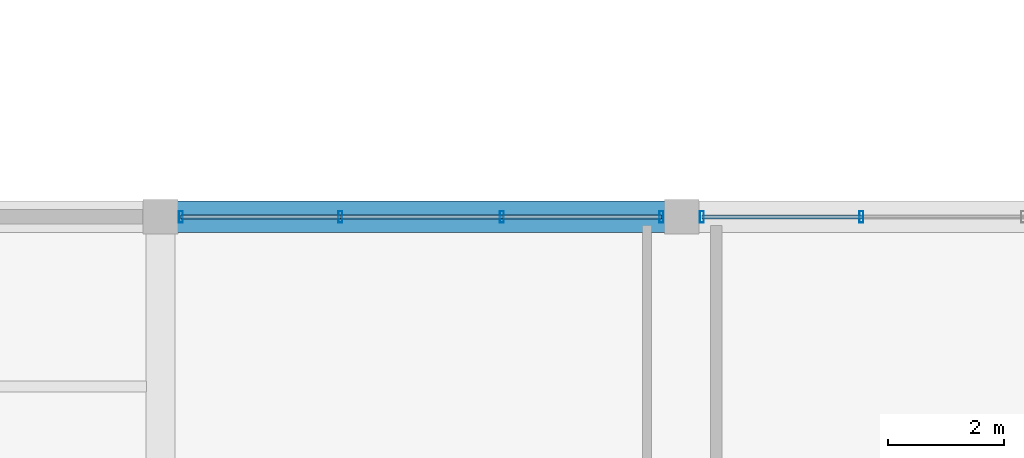
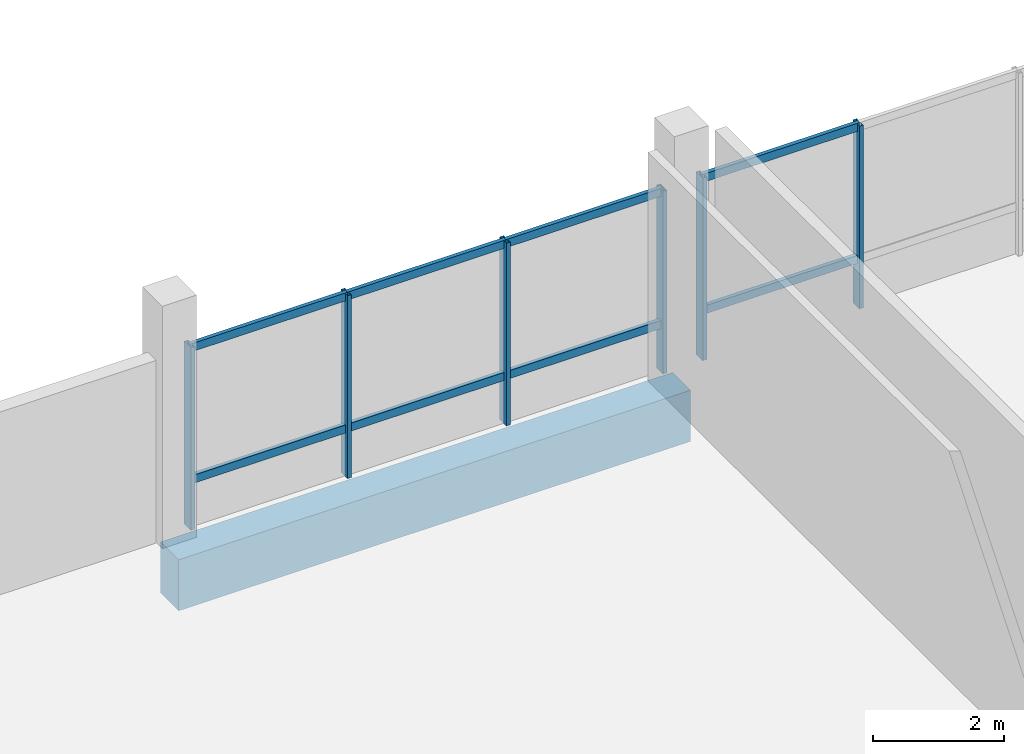
# One storey, part 40 of 77: 14 members, 1 beam, 2 elements without a shape of their own.
"""IFC4 building model written with IfcOpenShell, lengths in metres."""

import ifcopenshell
import ifcopenshell.guid

model = None  # the IFC model being written
_history = None  # IfcOwnerHistory: only IFC2X3 demands one
_inside = {}  # id of a spatial element -> (the spatial element, [elements in it])
_under = {}  # id of a project, library or spatial element -> (it, [spatial elements below it])
_declared = {}  # id of a project -> (the project, [libraries it declares])
_typed = {}  # id of a type object -> (the type object, [elements of that type])
_made_of = {}  # id of a material, layer set ... -> (it, [elements and type objects made of it])


def new_model(schema):
    """Start an empty IFC model of exactly this schema.

    Asked for "IFC4X3", IfcOpenShell would pick the latest addendum, in which some entities
    have other attributes; the version numbers below select the first issue.
    IFC2X3 requires an IfcOwnerHistory on every rooted entity: one is made here for all.
    """
    global model, _history
    if schema == "IFC4X3":
        model = ifcopenshell.file(schema_version=(4, 3, 0, 0))
    else:
        model = ifcopenshell.file(schema=schema)
    _inside.clear()
    _under.clear()
    _declared.clear()
    _typed.clear()
    _made_of.clear()
    _history = None
    if model.schema == "IFC2X3":
        org = make("IfcOrganization", Name="unknown")
        user = make(
            "IfcPersonAndOrganization",
            ThePerson=make("IfcPerson", FamilyName="unknown"),
            TheOrganization=org,
        )
        app = make(
            "IfcApplication",
            ApplicationDeveloper=org,
            Version="unknown",
            ApplicationFullName="unknown",
            ApplicationIdentifier="unknown",
        )
        _history = make(
            "IfcOwnerHistory",
            OwningUser=user,
            OwningApplication=app,
            ChangeAction="ADDED",
            CreationDate=0,
        )
    return model


def make(cls, **values):
    """One entity of the class cls with the attributes given. An attribute that is None is left unset."""
    return model.create_entity(
        cls, **{name: value for name, value in values.items() if value is not None}
    )


def rooted(cls, **values):
    """An entity with a GlobalId (a new one), such as an element, a storey or a relation."""
    return make(cls, GlobalId=ifcopenshell.guid.new(), OwnerHistory=_history, **values)


def si_unit(unit_type, name, prefix=None):
    """IfcSIUnit, for example si_unit("LENGTHUNIT", "METRE", prefix="MILLI")."""
    return make("IfcSIUnit", UnitType=unit_type, Prefix=prefix, Name=name)


def assignment(units):
    """IfcUnitAssignment: the units of a project."""
    return None if units is None else make("IfcUnitAssignment", Units=units)


def point(xyz):
    """IfcCartesianPoint."""
    return None if xyz is None else make("IfcCartesianPoint", Coordinates=xyz)


def direction(xyz):
    """IfcDirection."""
    return None if xyz is None else make("IfcDirection", DirectionRatios=xyz)


def frame(location, z_axis=None, x_axis=None):
    """IfcAxis2Placement3D, a coordinate frame: its origin and axes. An axis left out is left unset."""
    return make(
        "IfcAxis2Placement3D",
        Location=point(location),
        Axis=direction(z_axis),
        RefDirection=direction(x_axis),
    )


def frame_2d(location, x_axis=None):
    """IfcAxis2Placement2D, a coordinate frame in the plane: its origin and x axis."""
    return make(
        "IfcAxis2Placement2D", Location=point(location), RefDirection=direction(x_axis)
    )


def origin():
    """The frame at (0, 0, 0) with its axes left unset."""
    return frame((0.0, 0.0, 0.0))


def origin_2d():
    """The frame at (0, 0) in the plane with its x axis left unset."""
    return frame_2d((0.0, 0.0))


def place(relative_to, where):
    """IfcLocalPlacement: puts the frame where relative to a parent placement (None: the world)."""
    return make(
        "IfcLocalPlacement", PlacementRelTo=relative_to, RelativePlacement=where
    )


def context(
    kind, dimensions, precision=None, world=None, true_north=None, identifier=None
):
    """IfcGeometricRepresentationContext, for example the 3D "Model" context."""
    return make(
        "IfcGeometricRepresentationContext",
        ContextIdentifier=identifier,
        ContextType=kind,
        CoordinateSpaceDimension=dimensions,
        Precision=precision,
        WorldCoordinateSystem=world,
        TrueNorth=true_north,
    )


def subcontext(parent, identifier, kind, view, scale=None):
    """IfcGeometricRepresentationSubContext, for example "Body" below "Model"."""
    return make(
        "IfcGeometricRepresentationSubContext",
        ContextIdentifier=identifier,
        ContextType=kind,
        ParentContext=parent,
        TargetScale=scale,
        TargetView=view,
    )


def project(units=None, contexts=None):
    """IfcProject with its units and contexts."""
    return rooted(
        "IfcProject",
        Name="project",
        RepresentationContexts=contexts,
        UnitsInContext=assignment(units),
    )


def spatial(cls, under=None, at=None, **own):
    """A site, building, storey or space (cls), placed at a placement, below another one or the project."""
    s = rooted(cls, ObjectPlacement=at, **own)
    if under is not None:
        _under.setdefault(under.id(), (under, []))[1].append(s)
    return s


def profile(cls, at=None, kind="AREA", **sizes):
    """A parametric profile (cls). Its sizes go by their IFC names, for example OverallWidth=200.0."""
    return make(cls, ProfileType=kind, Position=at, **sizes)


def rectangle(**sizes):
    """IfcRectangleProfileDef."""
    return profile("IfcRectangleProfileDef", **sizes)


def hollow_rectangle(**sizes):
    """IfcRectangleHollowProfileDef."""
    return profile("IfcRectangleHollowProfileDef", **sizes)


def extrude(swept, where, along, depth):
    """IfcExtrudedAreaSolid: the profile swept, set in the frame where, extruded along a direction by depth."""
    return make(
        "IfcExtrudedAreaSolid",
        SweptArea=swept,
        Position=where,
        ExtrudedDirection=direction(along),
        Depth=depth,
    )


def shape(context_of_items, identifier, shape_type, items):
    """IfcShapeRepresentation: the items that make up one representation, for example the "Body"."""
    return make(
        "IfcShapeRepresentation",
        ContextOfItems=context_of_items,
        RepresentationIdentifier=identifier,
        RepresentationType=shape_type,
        Items=items,
    )


def material(Name=None, Category=None):
    """IfcMaterial."""
    return make("IfcMaterial", Name=Name, Category=Category)


def layer(
    of_material, thickness, ventilated=None, Name=None, Category=None, Priority=None
):
    """IfcMaterialLayer: one layer of a wall or slab, of a material (None: an air gap)."""
    return make(
        "IfcMaterialLayer",
        Material=of_material,
        LayerThickness=thickness,
        IsVentilated=ventilated,
        Name=Name,
        Category=Category,
        Priority=Priority,
    )


def layer_set(layers, Name=None):
    """IfcMaterialLayerSet."""
    return make("IfcMaterialLayerSet", MaterialLayers=layers, LayerSetName=Name)


def material_profile(
    of_material, cross_section, Name=None, Category=None, Priority=None
):
    """IfcMaterialProfile: a cross section and its material."""
    return make(
        "IfcMaterialProfile",
        Name=Name,
        Material=of_material,
        Profile=cross_section,
        Priority=Priority,
        Category=Category,
    )


def profile_set(profiles, Name=None, composite=None):
    """IfcMaterialProfileSet."""
    return make(
        "IfcMaterialProfileSet",
        Name=Name,
        MaterialProfiles=profiles,
        CompositeProfile=composite,
    )


def made_of(thing, what):
    """Note that an element or type object is made of a material, layer set ...; save() writes the relation."""
    if what is not None:
        _made_of.setdefault(what.id(), (what, []))[1].append(thing)
    return thing


def type_object(cls, material=None, **own):
    """A type object (cls), such as IfcWallType, which elements share."""
    return made_of(rooted(cls, **own), material)


def element(
    cls,
    number,
    at=None,
    inside=None,
    cuts=None,
    type_object=None,
    material=None,
    context=None,
    identifier="Body",
    shape_type=None,
    held_by="IfcProductDefinitionShape",
    body=None,
    shapes=None,
    **own,
):
    """One element of the class cls, such as IfcWall. Its Tag is "e" and its number.

    at: its placement. inside: the storey or other place that contains it. cuts: it is an
    opening in that element (IfcRelVoidsElement). A single representation is given by context,
    identifier, shape_type and body (its items); several are given by shapes. held_by: the class
    of the entity that holds the representations. save() writes the other relations.
    """
    e = rooted(cls, Tag="e%d" % number, ObjectPlacement=at, **own)
    if body is not None:
        shapes = [shape(context, identifier, shape_type, body)]
    if shapes is not None:
        e.Representation = make(held_by, Representations=shapes)
    if inside is not None:
        _inside.setdefault(inside.id(), (inside, []))[1].append(e)
    if cuts is not None:
        rooted(
            "IfcRelVoidsElement", RelatingBuildingElement=cuts, RelatedOpeningElement=e
        )
    if type_object is not None:
        _typed.setdefault(type_object.id(), (type_object, []))[1].append(e)
    return made_of(e, material)


def aggregate(whole, parts):
    """IfcRelAggregates: a whole, such as a stair, and the parts it consists of."""
    return rooted("IfcRelAggregates", RelatingObject=whole, RelatedObjects=parts)


def save(model, path):
    """Write the relations noted so far, then the file.

    IfcRelAggregates (storeys below a building ...), IfcRelContainedInSpatialStructure (elements
    in a storey), IfcRelDefinesByType, IfcRelAssociatesMaterial and IfcRelDeclares: one each for
    every whole, place, type object, material and project.
    """
    for whole, parts in _under.values():
        aggregate(whole, parts)
    for where, things in _inside.values():
        rooted(
            "IfcRelContainedInSpatialStructure",
            RelatedElements=things,
            RelatingStructure=where,
        )
    for kind, things in _typed.values():
        rooted("IfcRelDefinesByType", RelatedObjects=things, RelatingType=kind)
    for what, things in _made_of.values():
        rooted("IfcRelAssociatesMaterial", RelatedObjects=things, RelatingMaterial=what)
    for by, libraries in _declared.values():
        rooted("IfcRelDeclares", RelatingContext=by, RelatedDefinitions=libraries)
    model.write(path)


model = new_model("IFC4")

# Units and contexts
model_context = context("Model", 3, precision=1e-05, world=origin(), true_north=direction((0.0, 1.0)))
body_context = subcontext(model_context, "Body", "Model", "MODEL_VIEW")
ifc_project = project(units=[si_unit("LENGTHUNIT", "METRE"), si_unit("AREAUNIT", "SQUARE_METRE"), si_unit("VOLUMEUNIT", "CUBIC_METRE"), si_unit("PLANEANGLEUNIT", "RADIAN"), si_unit("MASSUNIT", "GRAM", prefix="KILO")], contexts=[model_context])

# Site, building, storey
site_placement = place(None, origin())
site = spatial("IfcSite", under=ifc_project, at=site_placement, CompositionType="ELEMENT")
building_placement = place(site_placement, origin())
building = spatial("IfcBuilding", under=site, at=building_placement, Name="Meriwether Solvik Hall", CompositionType="ELEMENT")
storey_placement = place(building_placement, frame((0.0, 0.0, 9.89990234375)))
storey = spatial("IfcBuildingStorey", under=building, at=storey_placement, Name="L02", CompositionType="ELEMENT", Elevation=9.89990234375)

# Beam
ifc_material_1 = material(Name="Concrete C40/50", Category="concrete")
ifc_material_profile_1 = material_profile(ifc_material_1, rectangle(XDim=0.550048828125, YDim=0.949951171875, at=origin_2d()), Name="RCB-550X950")
ifc_profile_set_1 = profile_set([ifc_material_profile_1], Name="Concrete C40/50")
beam_type = type_object("IfcBeamType", Name="BM-RC-550X950", PredefinedType="BEAM", material=ifc_profile_set_1)
beam_placement = place(storey_placement, frame((77.800048828125, 92.800048828125, -0.804931640625), z_axis=(1.0, 0.0, 0.0), x_axis=(0.0, 1.0, 0.0)))
element("IfcBeam", 1, at=beam_placement, inside=storey, type_object=beam_type, Name="Podium Girder K:9-10 (L02)", PredefinedType="BEAM", context=body_context, shape_type="SweptSolid", body=[
    extrude(rectangle(XDim=0.550048828125, YDim=0.949951171875, at=origin_2d()), origin(), (0.0, 0.0, 1.0), 9.0),
])

# Curtain wall, members
ifc_material_2 = material(Name="Thermally Broken Anodised Aluminium 6063-T6 and Low-E Glass", Category="aluminium")
ifc_layer = layer(ifc_material_2, 0.179931640625)
ifc_layer_set = layer_set([ifc_layer], Name="Thermally Broken Anodised Aluminium 6063-T6 and Low-E Glass")
curtain_wall_type = type_object("IfcCurtainWallType", Name="CW-SF-POD-C", PredefinedType="USERDEFINED", material=ifc_layer_set)
curtain_wall_1_placement = place(storey_placement, origin())
curtain_wall_1 = element("IfcCurtainWall", 2, at=curtain_wall_1_placement, inside=storey, type_object=curtain_wall_type, Name="Curtain Wall wing_XK_9_14 (L02)", ObjectType="STICK STOREFRONT GLAZING", PredefinedType="USERDEFINED")
ifc_material_3 = material(Name="Anodised Aluminium 6063-T6", Category="aluminium")
ifc_material_profile_2 = material_profile(ifc_material_3, hollow_rectangle(XDim=0.070068359375, YDim=0.199951171875, WallThickness=0.0048828125, at=origin_2d()), Name="CWM-70X200")
ifc_profile_set_2 = profile_set([ifc_material_profile_2], Name="Anodised Aluminium 6063-T6")
member_type_1 = type_object("IfcMemberType", Name="CW-MUL-70X200", PredefinedType="MULLION", material=ifc_profile_set_2)
member_1_placement = place(storey_placement, frame((78.14990234375, 92.800048828125, 0.0), z_axis=(0.0, 0.0, 1.0), x_axis=(1.0, 0.0, 0.0)))
member_1 = element("IfcMember", 3, at=member_1_placement, type_object=member_type_1, Name="Curtain Wall Mullion 1", PredefinedType="MULLION", context=body_context, shape_type="SweptSolid", body=[
    extrude(hollow_rectangle(XDim=0.070068359375, YDim=0.199951171875, WallThickness=0.0048828125, at=origin_2d()), origin(), (0.0, 0.0, 1.0), 3.39501953125),
])
member_2_placement = place(storey_placement, frame((80.904052734375, 92.800048828125, 0.0), z_axis=(0.0, 0.0, 1.0), x_axis=(1.0, 0.0, 0.0)))
member_2 = element("IfcMember", 4, at=member_2_placement, type_object=member_type_1, Name="Curtain Wall Mullion 2", PredefinedType="MULLION", context=body_context, shape_type="SweptSolid", body=[
    extrude(hollow_rectangle(XDim=0.070068359375, YDim=0.199951171875, WallThickness=0.0048828125, at=origin_2d()), origin(), (0.0, 0.0, 1.0), 3.39501953125),
])
member_3_placement = place(storey_placement, frame((83.696044921875, 92.800048828125, 0.0), z_axis=(0.0, 0.0, 1.0), x_axis=(1.0, 0.0, 0.0)))
member_3 = element("IfcMember", 5, at=member_3_placement, type_object=member_type_1, Name="Curtain Wall Mullion 3", PredefinedType="MULLION", context=body_context, shape_type="SweptSolid", body=[
    extrude(hollow_rectangle(XDim=0.070068359375, YDim=0.199951171875, WallThickness=0.0048828125, at=origin_2d()), origin(), (0.0, 0.0, 1.0), 3.39501953125),
])
member_4_placement = place(storey_placement, frame((86.449951171875, 92.800048828125, 0.0), z_axis=(0.0, 0.0, 1.0), x_axis=(1.0, 0.0, 0.0)))
member_4 = element("IfcMember", 6, at=member_4_placement, type_object=member_type_1, Name="Curtain Wall Mullion 4", PredefinedType="MULLION", context=body_context, shape_type="SweptSolid", body=[
    extrude(hollow_rectangle(XDim=0.070068359375, YDim=0.199951171875, WallThickness=0.0048828125, at=origin_2d()), origin(), (0.0, 0.0, 1.0), 3.39501953125),
])

curtain_wall_2_placement = place(storey_placement, origin())
curtain_wall_2 = element("IfcCurtainWall", 7, at=curtain_wall_2_placement, inside=storey, type_object=curtain_wall_type, Name="Curtain Wall wing_XK_10_15 (L02)", ObjectType="STICK STOREFRONT GLAZING", PredefinedType="USERDEFINED")
member_5_placement = place(storey_placement, frame((87.14990234375, 92.800048828125, 0.0), z_axis=(0.0, 0.0, 1.0), x_axis=(1.0, 0.0, 0.0)))
member_5 = element("IfcMember", 8, at=member_5_placement, type_object=member_type_1, Name="Curtain Wall Mullion 1", PredefinedType="MULLION", context=body_context, shape_type="SweptSolid", body=[
    extrude(hollow_rectangle(XDim=0.070068359375, YDim=0.199951171875, WallThickness=0.0048828125, at=origin_2d()), origin(), (0.0, 0.0, 1.0), 3.39501953125),
])
member_6_placement = place(storey_placement, frame((89.904052734375, 92.800048828125, 0.0), z_axis=(0.0, 0.0, 1.0), x_axis=(1.0, 0.0, 0.0)))
member_6 = element("IfcMember", 9, at=member_6_placement, type_object=member_type_1, Name="Curtain Wall Mullion 2", PredefinedType="MULLION", context=body_context, shape_type="SweptSolid", body=[
    extrude(hollow_rectangle(XDim=0.070068359375, YDim=0.199951171875, WallThickness=0.0048828125, at=origin_2d()), origin(), (0.0, 0.0, 1.0), 3.39501953125),
])

# Member
ifc_material_4 = material(Name="Anodised Aluminium 6063-T6", Category="aluminium")
ifc_material_profile_3 = material_profile(ifc_material_4, hollow_rectangle(XDim=0.070068359375, YDim=0.14990234375, WallThickness=0.0048828125, at=origin_2d()), Name="CWT-70X150")
ifc_profile_set_3 = profile_set([ifc_material_profile_3], Name="Anodised Aluminium 6063-T6")
member_type_2 = type_object("IfcMemberType", Name="CW-TRN-70X150", PredefinedType="USERDEFINED", material=ifc_profile_set_3)
member_7_placement = place(storey_placement, frame((78.14990234375, 92.800048828125, 0.880126953125), z_axis=(1.0, 0.0, 0.0), x_axis=(0.0, 1.0, 0.0)))
member_7 = element("IfcMember", 10, at=member_7_placement, type_object=member_type_2, Name="Curtain Wall Transom 1-sill", ObjectType="TRANSOM", PredefinedType="USERDEFINED", context=body_context, shape_type="SweptSolid", body=[
    extrude(hollow_rectangle(XDim=0.070068359375, YDim=0.14990234375, WallThickness=0.0048828125, at=origin_2d()), origin(), (0.0, 0.0, 1.0), 2.754150390625),
])

member_8_placement = place(storey_placement, frame((78.14990234375, 92.800048828125, 3.335205078125), z_axis=(1.0, 0.0, 0.0), x_axis=(0.0, 1.0, 0.0)))
member_8 = element("IfcMember", 11, at=member_8_placement, type_object=member_type_2, Name="Curtain Wall Transom 1-head", ObjectType="TRANSOM", PredefinedType="USERDEFINED", context=body_context, shape_type="SweptSolid", body=[
    extrude(hollow_rectangle(XDim=0.070068359375, YDim=0.14990234375, WallThickness=0.0048828125, at=origin_2d()), origin(), (0.0, 0.0, 1.0), 2.754150390625),
])

member_9_placement = place(storey_placement, frame((80.904052734375, 92.800048828125, 0.880126953125), z_axis=(1.0, 0.0, 0.0), x_axis=(0.0, 1.0, 0.0)))
member_9 = element("IfcMember", 12, at=member_9_placement, type_object=member_type_2, Name="Curtain Wall Transom 2-sill", ObjectType="TRANSOM", PredefinedType="USERDEFINED", context=body_context, shape_type="SweptSolid", body=[
    extrude(hollow_rectangle(XDim=0.070068359375, YDim=0.14990234375, WallThickness=0.0048828125, at=origin_2d()), origin(), (0.0, 0.0, 1.0), 2.7919921875),
])

member_10_placement = place(storey_placement, frame((80.904052734375, 92.800048828125, 3.335205078125), z_axis=(1.0, 0.0, 0.0), x_axis=(0.0, 1.0, 0.0)))
member_10 = element("IfcMember", 13, at=member_10_placement, type_object=member_type_2, Name="Curtain Wall Transom 2-head", ObjectType="TRANSOM", PredefinedType="USERDEFINED", context=body_context, shape_type="SweptSolid", body=[
    extrude(hollow_rectangle(XDim=0.070068359375, YDim=0.14990234375, WallThickness=0.0048828125, at=origin_2d()), origin(), (0.0, 0.0, 1.0), 2.7919921875),
])

member_11_placement = place(storey_placement, frame((83.696044921875, 92.800048828125, 0.880126953125), z_axis=(1.0, 0.0, 0.0), x_axis=(0.0, 1.0, 0.0)))
member_11 = element("IfcMember", 14, at=member_11_placement, type_object=member_type_2, Name="Curtain Wall Transom 3-sill", ObjectType="TRANSOM", PredefinedType="USERDEFINED", context=body_context, shape_type="SweptSolid", body=[
    extrude(hollow_rectangle(XDim=0.070068359375, YDim=0.14990234375, WallThickness=0.0048828125, at=origin_2d()), origin(), (0.0, 0.0, 1.0), 2.75390625),
])

member_12_placement = place(storey_placement, frame((83.696044921875, 92.800048828125, 3.335205078125), z_axis=(1.0, 0.0, 0.0), x_axis=(0.0, 1.0, 0.0)))
member_12 = element("IfcMember", 15, at=member_12_placement, type_object=member_type_2, Name="Curtain Wall Transom 3-head", ObjectType="TRANSOM", PredefinedType="USERDEFINED", context=body_context, shape_type="SweptSolid", body=[
    extrude(hollow_rectangle(XDim=0.070068359375, YDim=0.14990234375, WallThickness=0.0048828125, at=origin_2d()), origin(), (0.0, 0.0, 1.0), 2.75390625),
])

aggregate(curtain_wall_1, [member_1, member_2, member_3, member_4, member_7, member_8, member_9, member_10, member_11, member_12])

member_13_placement = place(storey_placement, frame((87.14990234375, 92.800048828125, 0.880126953125), z_axis=(1.0, 0.0, 0.0), x_axis=(0.0, 1.0, 0.0)))
member_13 = element("IfcMember", 16, at=member_13_placement, type_object=member_type_2, Name="Curtain Wall Transom 1-sill", ObjectType="TRANSOM", PredefinedType="USERDEFINED", context=body_context, shape_type="SweptSolid", body=[
    extrude(hollow_rectangle(XDim=0.070068359375, YDim=0.14990234375, WallThickness=0.0048828125, at=origin_2d()), origin(), (0.0, 0.0, 1.0), 2.754150390625),
])

member_14_placement = place(storey_placement, frame((87.14990234375, 92.800048828125, 3.335205078125), z_axis=(1.0, 0.0, 0.0), x_axis=(0.0, 1.0, 0.0)))
member_14 = element("IfcMember", 17, at=member_14_placement, type_object=member_type_2, Name="Curtain Wall Transom 1-head", ObjectType="TRANSOM", PredefinedType="USERDEFINED", context=body_context, shape_type="SweptSolid", body=[
    extrude(hollow_rectangle(XDim=0.070068359375, YDim=0.14990234375, WallThickness=0.0048828125, at=origin_2d()), origin(), (0.0, 0.0, 1.0), 2.754150390625),
])

aggregate(curtain_wall_2, [member_5, member_6, member_13, member_14])

save(model, "model.ifc")
